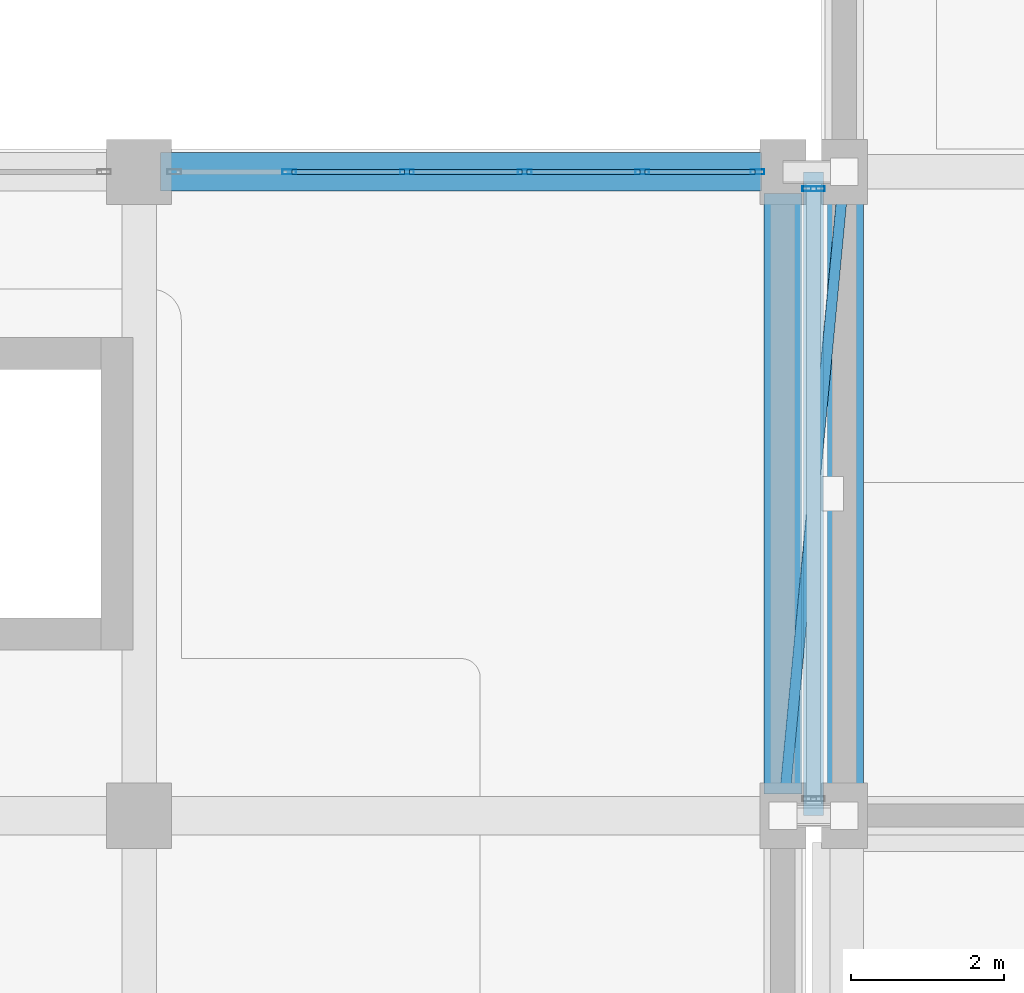
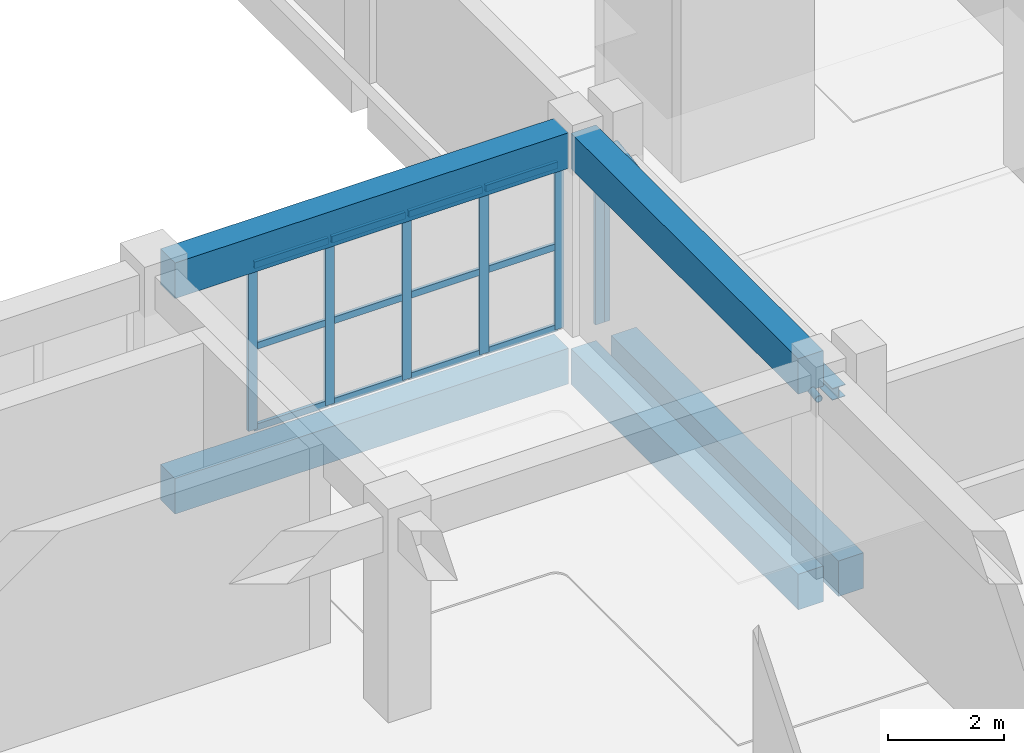
# One storey, part 69 of 129: 20 members, 6 beams, 2 elements without a shape of their own.
"""IFC4 building model written with IfcOpenShell, lengths in metres."""

import ifcopenshell
import ifcopenshell.guid

model = None  # the IFC model being written
_history = None  # IfcOwnerHistory: only IFC2X3 demands one
_inside = {}  # id of a spatial element -> (the spatial element, [elements in it])
_under = {}  # id of a project, library or spatial element -> (it, [spatial elements below it])
_declared = {}  # id of a project -> (the project, [libraries it declares])
_typed = {}  # id of a type object -> (the type object, [elements of that type])
_made_of = {}  # id of a material, layer set ... -> (it, [elements and type objects made of it])


def new_model(schema):
    """Start an empty IFC model of exactly this schema.

    Asked for "IFC4X3", IfcOpenShell would pick the latest addendum, in which some entities
    have other attributes; the version numbers below select the first issue.
    IFC2X3 requires an IfcOwnerHistory on every rooted entity: one is made here for all.
    """
    global model, _history
    if schema == "IFC4X3":
        model = ifcopenshell.file(schema_version=(4, 3, 0, 0))
    else:
        model = ifcopenshell.file(schema=schema)
    _inside.clear()
    _under.clear()
    _declared.clear()
    _typed.clear()
    _made_of.clear()
    _history = None
    if model.schema == "IFC2X3":
        org = make("IfcOrganization", Name="unknown")
        user = make(
            "IfcPersonAndOrganization",
            ThePerson=make("IfcPerson", FamilyName="unknown"),
            TheOrganization=org,
        )
        app = make(
            "IfcApplication",
            ApplicationDeveloper=org,
            Version="unknown",
            ApplicationFullName="unknown",
            ApplicationIdentifier="unknown",
        )
        _history = make(
            "IfcOwnerHistory",
            OwningUser=user,
            OwningApplication=app,
            ChangeAction="ADDED",
            CreationDate=0,
        )
    return model


def make(cls, **values):
    """One entity of the class cls with the attributes given. An attribute that is None is left unset."""
    return model.create_entity(
        cls, **{name: value for name, value in values.items() if value is not None}
    )


def rooted(cls, **values):
    """An entity with a GlobalId (a new one), such as an element, a storey or a relation."""
    return make(cls, GlobalId=ifcopenshell.guid.new(), OwnerHistory=_history, **values)


def si_unit(unit_type, name, prefix=None):
    """IfcSIUnit, for example si_unit("LENGTHUNIT", "METRE", prefix="MILLI")."""
    return make("IfcSIUnit", UnitType=unit_type, Prefix=prefix, Name=name)


def assignment(units):
    """IfcUnitAssignment: the units of a project."""
    return None if units is None else make("IfcUnitAssignment", Units=units)


def point(xyz):
    """IfcCartesianPoint."""
    return None if xyz is None else make("IfcCartesianPoint", Coordinates=xyz)


def direction(xyz):
    """IfcDirection."""
    return None if xyz is None else make("IfcDirection", DirectionRatios=xyz)


def frame(location, z_axis=None, x_axis=None):
    """IfcAxis2Placement3D, a coordinate frame: its origin and axes. An axis left out is left unset."""
    return make(
        "IfcAxis2Placement3D",
        Location=point(location),
        Axis=direction(z_axis),
        RefDirection=direction(x_axis),
    )


def frame_2d(location, x_axis=None):
    """IfcAxis2Placement2D, a coordinate frame in the plane: its origin and x axis."""
    return make(
        "IfcAxis2Placement2D", Location=point(location), RefDirection=direction(x_axis)
    )


def origin():
    """The frame at (0, 0, 0) with its axes left unset."""
    return frame((0.0, 0.0, 0.0))


def origin_2d():
    """The frame at (0, 0) in the plane with its x axis left unset."""
    return frame_2d((0.0, 0.0))


def place(relative_to, where):
    """IfcLocalPlacement: puts the frame where relative to a parent placement (None: the world)."""
    return make(
        "IfcLocalPlacement", PlacementRelTo=relative_to, RelativePlacement=where
    )


def context(
    kind, dimensions, precision=None, world=None, true_north=None, identifier=None
):
    """IfcGeometricRepresentationContext, for example the 3D "Model" context."""
    return make(
        "IfcGeometricRepresentationContext",
        ContextIdentifier=identifier,
        ContextType=kind,
        CoordinateSpaceDimension=dimensions,
        Precision=precision,
        WorldCoordinateSystem=world,
        TrueNorth=true_north,
    )


def subcontext(parent, identifier, kind, view, scale=None):
    """IfcGeometricRepresentationSubContext, for example "Body" below "Model"."""
    return make(
        "IfcGeometricRepresentationSubContext",
        ContextIdentifier=identifier,
        ContextType=kind,
        ParentContext=parent,
        TargetScale=scale,
        TargetView=view,
    )


def project(units=None, contexts=None):
    """IfcProject with its units and contexts."""
    return rooted(
        "IfcProject",
        Name="project",
        RepresentationContexts=contexts,
        UnitsInContext=assignment(units),
    )


def spatial(cls, under=None, at=None, **own):
    """A site, building, storey or space (cls), placed at a placement, below another one or the project."""
    s = rooted(cls, ObjectPlacement=at, **own)
    if under is not None:
        _under.setdefault(under.id(), (under, []))[1].append(s)
    return s


def profile(cls, at=None, kind="AREA", **sizes):
    """A parametric profile (cls). Its sizes go by their IFC names, for example OverallWidth=200.0."""
    return make(cls, ProfileType=kind, Position=at, **sizes)


def rectangle(**sizes):
    """IfcRectangleProfileDef."""
    return profile("IfcRectangleProfileDef", **sizes)


def hollow_rectangle(**sizes):
    """IfcRectangleHollowProfileDef."""
    return profile("IfcRectangleHollowProfileDef", **sizes)


def hollow_circle(**sizes):
    """IfcCircleHollowProfileDef."""
    return profile("IfcCircleHollowProfileDef", **sizes)


def i_section(**sizes):
    """IfcIShapeProfileDef."""
    return profile("IfcIShapeProfileDef", **sizes)


def extrude(swept, where, along, depth):
    """IfcExtrudedAreaSolid: the profile swept, set in the frame where, extruded along a direction by depth."""
    return make(
        "IfcExtrudedAreaSolid",
        SweptArea=swept,
        Position=where,
        ExtrudedDirection=direction(along),
        Depth=depth,
    )


def shape(context_of_items, identifier, shape_type, items):
    """IfcShapeRepresentation: the items that make up one representation, for example the "Body"."""
    return make(
        "IfcShapeRepresentation",
        ContextOfItems=context_of_items,
        RepresentationIdentifier=identifier,
        RepresentationType=shape_type,
        Items=items,
    )


def material(Name=None, Category=None):
    """IfcMaterial."""
    return make("IfcMaterial", Name=Name, Category=Category)


def layer(
    of_material, thickness, ventilated=None, Name=None, Category=None, Priority=None
):
    """IfcMaterialLayer: one layer of a wall or slab, of a material (None: an air gap)."""
    return make(
        "IfcMaterialLayer",
        Material=of_material,
        LayerThickness=thickness,
        IsVentilated=ventilated,
        Name=Name,
        Category=Category,
        Priority=Priority,
    )


def layer_set(layers, Name=None):
    """IfcMaterialLayerSet."""
    return make("IfcMaterialLayerSet", MaterialLayers=layers, LayerSetName=Name)


def material_profile(
    of_material, cross_section, Name=None, Category=None, Priority=None
):
    """IfcMaterialProfile: a cross section and its material."""
    return make(
        "IfcMaterialProfile",
        Name=Name,
        Material=of_material,
        Profile=cross_section,
        Priority=Priority,
        Category=Category,
    )


def profile_set(profiles, Name=None, composite=None):
    """IfcMaterialProfileSet."""
    return make(
        "IfcMaterialProfileSet",
        Name=Name,
        MaterialProfiles=profiles,
        CompositeProfile=composite,
    )


def made_of(thing, what):
    """Note that an element or type object is made of a material, layer set ...; save() writes the relation."""
    if what is not None:
        _made_of.setdefault(what.id(), (what, []))[1].append(thing)
    return thing


def type_object(cls, material=None, **own):
    """A type object (cls), such as IfcWallType, which elements share."""
    return made_of(rooted(cls, **own), material)


def element(
    cls,
    number,
    at=None,
    inside=None,
    cuts=None,
    type_object=None,
    material=None,
    context=None,
    identifier="Body",
    shape_type=None,
    held_by="IfcProductDefinitionShape",
    body=None,
    shapes=None,
    **own,
):
    """One element of the class cls, such as IfcWall. Its Tag is "e" and its number.

    at: its placement. inside: the storey or other place that contains it. cuts: it is an
    opening in that element (IfcRelVoidsElement). A single representation is given by context,
    identifier, shape_type and body (its items); several are given by shapes. held_by: the class
    of the entity that holds the representations. save() writes the other relations.
    """
    e = rooted(cls, Tag="e%d" % number, ObjectPlacement=at, **own)
    if body is not None:
        shapes = [shape(context, identifier, shape_type, body)]
    if shapes is not None:
        e.Representation = make(held_by, Representations=shapes)
    if inside is not None:
        _inside.setdefault(inside.id(), (inside, []))[1].append(e)
    if cuts is not None:
        rooted(
            "IfcRelVoidsElement", RelatingBuildingElement=cuts, RelatedOpeningElement=e
        )
    if type_object is not None:
        _typed.setdefault(type_object.id(), (type_object, []))[1].append(e)
    return made_of(e, material)


def aggregate(whole, parts):
    """IfcRelAggregates: a whole, such as a stair, and the parts it consists of."""
    return rooted("IfcRelAggregates", RelatingObject=whole, RelatedObjects=parts)


def save(model, path):
    """Write the relations noted so far, then the file.

    IfcRelAggregates (storeys below a building ...), IfcRelContainedInSpatialStructure (elements
    in a storey), IfcRelDefinesByType, IfcRelAssociatesMaterial and IfcRelDeclares: one each for
    every whole, place, type object, material and project.
    """
    for whole, parts in _under.values():
        aggregate(whole, parts)
    for where, things in _inside.values():
        rooted(
            "IfcRelContainedInSpatialStructure",
            RelatedElements=things,
            RelatingStructure=where,
        )
    for kind, things in _typed.values():
        rooted("IfcRelDefinesByType", RelatedObjects=things, RelatingType=kind)
    for what, things in _made_of.values():
        rooted("IfcRelAssociatesMaterial", RelatedObjects=things, RelatingMaterial=what)
    for by, libraries in _declared.values():
        rooted("IfcRelDeclares", RelatingContext=by, RelatedDefinitions=libraries)
    model.write(path)


model = new_model("IFC4")

# Units and contexts
model_context = context("Model", 3, precision=1e-05, world=origin(), true_north=direction((0.0, 1.0)))
body_context = subcontext(model_context, "Body", "Model", "MODEL_VIEW")
ifc_project = project(units=[si_unit("LENGTHUNIT", "METRE"), si_unit("AREAUNIT", "SQUARE_METRE"), si_unit("VOLUMEUNIT", "CUBIC_METRE"), si_unit("PLANEANGLEUNIT", "RADIAN"), si_unit("MASSUNIT", "GRAM", prefix="KILO")], contexts=[model_context])

# Site, building, storey
site_placement = place(None, origin())
site = spatial("IfcSite", under=ifc_project, at=site_placement, CompositionType="ELEMENT")
building_placement = place(site_placement, origin())
building = spatial("IfcBuilding", under=site, at=building_placement, Name="Xazarin Passage Department Store", CompositionType="ELEMENT")
storey_placement = place(building_placement, frame((0.0, 0.0, 9.89990234375)))
storey = spatial("IfcBuildingStorey", under=building, at=storey_placement, Name="L02", CompositionType="ELEMENT", Elevation=9.89990234375)

# Curtain wall, members
ifc_material_1 = material(Name="Bronze anodised aluminium", Category="aluminium")
ifc_layer_1 = layer(ifc_material_1, 0.169921875)
ifc_layer_set_1 = layer_set([ifc_layer_1], Name="Bronze anodised aluminium")
curtain_wall_type_1 = type_object("IfcCurtainWallType", Name="ARC-CW-ARC2", PredefinedType="NOTDEFINED", material=ifc_layer_set_1)
curtain_wall_1_placement = place(storey_placement, origin())
curtain_wall_1 = element("IfcCurtainWall", 1, at=curtain_wall_1_placement, inside=storey, type_object=curtain_wall_type_1, Name="L02 V2N Curtain Wall 117", PredefinedType="NOTDEFINED")
ifc_material_profile_1 = material_profile(ifc_material_1, hollow_rectangle(XDim=0.06494140625, YDim=0.179931640625, WallThickness=0.00390625, at=origin_2d()), Name="ALU 65x180")
ifc_profile_set_1 = profile_set([ifc_material_profile_1], Name="Bronze anodised aluminium")
member_type_1 = type_object("IfcMemberType", Name="ARC-CWM-65x180", PredefinedType="MULLION", material=ifc_profile_set_1)
member_1_placement = place(storey_placement, frame((95.159912109375, 93.199951171875, 0.0), z_axis=(0.0, 0.0, 1.0), x_axis=(0.0, 1.0, 0.0)))
member_1 = element("IfcMember", 2, at=member_1_placement, type_object=member_type_1, Name="CW4 mullion 2", PredefinedType="MULLION", context=body_context, shape_type="SweptSolid", body=[
    extrude(hollow_rectangle(XDim=0.06494140625, YDim=0.179931640625, WallThickness=0.00390625, at=origin_2d()), origin(), (0.0, 0.0, 1.0), 3.489990234375),
])
member_2_placement = place(storey_placement, frame((96.695068359375, 93.199951171875, 0.0), z_axis=(0.0, 0.0, 1.0), x_axis=(0.0, 1.0, 0.0)))
member_2 = element("IfcMember", 3, at=member_2_placement, type_object=member_type_1, Name="CW4 mullion 3", PredefinedType="MULLION", context=body_context, shape_type="SweptSolid", body=[
    extrude(hollow_rectangle(XDim=0.06494140625, YDim=0.179931640625, WallThickness=0.00390625, at=origin_2d()), origin(), (0.0, 0.0, 1.0), 3.489990234375),
])
member_3_placement = place(storey_placement, frame((98.22998046875, 93.199951171875, 0.0), z_axis=(0.0, 0.0, 1.0), x_axis=(0.0, 1.0, 0.0)))
member_3 = element("IfcMember", 4, at=member_3_placement, type_object=member_type_1, Name="CW4 mullion 4", PredefinedType="MULLION", context=body_context, shape_type="SweptSolid", body=[
    extrude(hollow_rectangle(XDim=0.06494140625, YDim=0.179931640625, WallThickness=0.00390625, at=origin_2d()), origin(), (0.0, 0.0, 1.0), 3.489990234375),
])
member_4_placement = place(storey_placement, frame((99.764892578125, 93.199951171875, 0.0), z_axis=(0.0, 0.0, 1.0), x_axis=(0.0, 1.0, 0.0)))
member_4 = element("IfcMember", 5, at=member_4_placement, type_object=member_type_1, Name="CW4 mullion 5", PredefinedType="MULLION", context=body_context, shape_type="SweptSolid", body=[
    extrude(hollow_rectangle(XDim=0.06494140625, YDim=0.179931640625, WallThickness=0.00390625, at=origin_2d()), origin(), (0.0, 0.0, 1.0), 3.489990234375),
])
member_5_placement = place(storey_placement, frame((101.267578125, 93.199951171875, 0.0), z_axis=(0.0, 0.0, 1.0), x_axis=(0.0, 1.0, 0.0)))
member_5 = element("IfcMember", 6, at=member_5_placement, type_object=member_type_1, Name="CW4 mullion 6", PredefinedType="MULLION", context=body_context, shape_type="SweptSolid", body=[
    extrude(hollow_rectangle(XDim=0.06494140625, YDim=0.179931640625, WallThickness=0.00390625, at=origin_2d()), origin(), (0.0, 0.0, 1.0), 3.489990234375),
])

ifc_layer_2 = layer(ifc_material_1, 0.14990234375)
ifc_layer_set_2 = layer_set([ifc_layer_2], Name="Bronze anodised aluminium")
curtain_wall_type_2 = type_object("IfcCurtainWallType", Name="ARC-CW-BRG1", PredefinedType="NOTDEFINED", material=ifc_layer_set_2)
curtain_wall_2_placement = place(storey_placement, origin())
curtain_wall_2 = element("IfcCurtainWall", 7, at=curtain_wall_2_placement, inside=storey, type_object=curtain_wall_type_2, Name="L02 BR-V2N-V4 Bridge Curtain Wall 2", PredefinedType="NOTDEFINED")
member_6_placement = place(storey_placement, frame((101.9423828125, 92.97998046875, 0.0), z_axis=(0.0, 0.0, 1.0), x_axis=(0.0, 1.0, 0.0)))
member_6 = element("IfcMember", 8, at=member_6_placement, type_object=member_type_1, Name="CW7 mullion 1", PredefinedType="MULLION", context=body_context, shape_type="SweptSolid", body=[
    extrude(hollow_rectangle(XDim=0.06494140625, YDim=0.179931640625, WallThickness=0.00390625, at=origin_2d()), origin(), (0.0, 0.0, 1.0), 3.60009765625),
])
member_7_placement = place(storey_placement, frame((102.0576171875, 92.97998046875, 0.0), z_axis=(0.0, 0.0, 1.0), x_axis=(0.0, 1.0, 0.0)))
member_7 = element("IfcMember", 9, at=member_7_placement, type_object=member_type_1, Name="CW7 mullion 2", PredefinedType="MULLION", context=body_context, shape_type="SweptSolid", body=[
    extrude(hollow_rectangle(XDim=0.06494140625, YDim=0.179931640625, WallThickness=0.00390625, at=origin_2d()), origin(), (0.0, 0.0, 1.0), 3.60009765625),
])
aggregate(curtain_wall_2, [member_6, member_7])

# Member
ifc_material_profile_2 = material_profile(ifc_material_1, hollow_rectangle(XDim=0.06494140625, YDim=0.139892578125, WallThickness=0.00390625, at=origin_2d()), Name="ALU 65x140")
ifc_profile_set_2 = profile_set([ifc_material_profile_2], Name="Bronze anodised aluminium")
member_type_2 = type_object("IfcMemberType", Name="ARC-CWT-65x140", PredefinedType="USERDEFINED", material=ifc_profile_set_2)
member_8_placement = place(storey_placement, frame((95.1923828125, 93.199951171875, 0.03271484375), z_axis=(1.0, 0.0, 0.0), x_axis=(0.0, 1.0, 0.0)))
member_8 = element("IfcMember", 10, at=member_8_placement, type_object=member_type_2, Name="CW4 transom 2.1", ObjectType="TRANSOM", PredefinedType="USERDEFINED", context=body_context, shape_type="SweptSolid", body=[
    extrude(hollow_rectangle(XDim=0.06494140625, YDim=0.139892578125, WallThickness=0.00390625, at=origin_2d()), origin(), (0.0, 0.0, 1.0), 1.47021484375),
])

member_9_placement = place(storey_placement, frame((95.1923828125, 93.199951171875, 1.7451171875), z_axis=(1.0, 0.0, 0.0), x_axis=(0.0, 1.0, 0.0)))
member_9 = element("IfcMember", 11, at=member_9_placement, type_object=member_type_2, Name="CW4 transom 2.2", ObjectType="TRANSOM", PredefinedType="USERDEFINED", context=body_context, shape_type="SweptSolid", body=[
    extrude(hollow_rectangle(XDim=0.06494140625, YDim=0.139892578125, WallThickness=0.00390625, at=origin_2d()), origin(), (0.0, 0.0, 1.0), 1.47021484375),
])

member_10_placement = place(storey_placement, frame((95.1923828125, 93.199951171875, 3.45751953125), z_axis=(1.0, 0.0, 0.0), x_axis=(0.0, 1.0, 0.0)))
member_10 = element("IfcMember", 12, at=member_10_placement, type_object=member_type_2, Name="CW4 transom 2.3", ObjectType="TRANSOM", PredefinedType="USERDEFINED", context=body_context, shape_type="SweptSolid", body=[
    extrude(hollow_rectangle(XDim=0.06494140625, YDim=0.139892578125, WallThickness=0.00390625, at=origin_2d()), origin(), (0.0, 0.0, 1.0), 1.47021484375),
])

member_11_placement = place(storey_placement, frame((96.7275390625, 93.199951171875, 0.03271484375), z_axis=(1.0, 0.0, 0.0), x_axis=(0.0, 1.0, 0.0)))
member_11 = element("IfcMember", 13, at=member_11_placement, type_object=member_type_2, Name="CW4 transom 3.1", ObjectType="TRANSOM", PredefinedType="USERDEFINED", context=body_context, shape_type="SweptSolid", body=[
    extrude(hollow_rectangle(XDim=0.06494140625, YDim=0.139892578125, WallThickness=0.00390625, at=origin_2d()), origin(), (0.0, 0.0, 1.0), 1.469970703125),
])

member_12_placement = place(storey_placement, frame((96.7275390625, 93.199951171875, 1.7451171875), z_axis=(1.0, 0.0, 0.0), x_axis=(0.0, 1.0, 0.0)))
member_12 = element("IfcMember", 14, at=member_12_placement, type_object=member_type_2, Name="CW4 transom 3.2", ObjectType="TRANSOM", PredefinedType="USERDEFINED", context=body_context, shape_type="SweptSolid", body=[
    extrude(hollow_rectangle(XDim=0.06494140625, YDim=0.139892578125, WallThickness=0.00390625, at=origin_2d()), origin(), (0.0, 0.0, 1.0), 1.469970703125),
])

member_13_placement = place(storey_placement, frame((96.7275390625, 93.199951171875, 3.45751953125), z_axis=(1.0, 0.0, 0.0), x_axis=(0.0, 1.0, 0.0)))
member_13 = element("IfcMember", 15, at=member_13_placement, type_object=member_type_2, Name="CW4 transom 3.3", ObjectType="TRANSOM", PredefinedType="USERDEFINED", context=body_context, shape_type="SweptSolid", body=[
    extrude(hollow_rectangle(XDim=0.06494140625, YDim=0.139892578125, WallThickness=0.00390625, at=origin_2d()), origin(), (0.0, 0.0, 1.0), 1.469970703125),
])

member_14_placement = place(storey_placement, frame((98.262451171875, 93.199951171875, 0.03271484375), z_axis=(1.0, 0.0, 0.0), x_axis=(0.0, 1.0, 0.0)))
member_14 = element("IfcMember", 16, at=member_14_placement, type_object=member_type_2, Name="CW4 transom 4.1", ObjectType="TRANSOM", PredefinedType="USERDEFINED", context=body_context, shape_type="SweptSolid", body=[
    extrude(hollow_rectangle(XDim=0.06494140625, YDim=0.139892578125, WallThickness=0.00390625, at=origin_2d()), origin(), (0.0, 0.0, 1.0), 1.469970703125),
])

member_15_placement = place(storey_placement, frame((98.262451171875, 93.199951171875, 1.7451171875), z_axis=(1.0, 0.0, 0.0), x_axis=(0.0, 1.0, 0.0)))
member_15 = element("IfcMember", 17, at=member_15_placement, type_object=member_type_2, Name="CW4 transom 4.2", ObjectType="TRANSOM", PredefinedType="USERDEFINED", context=body_context, shape_type="SweptSolid", body=[
    extrude(hollow_rectangle(XDim=0.06494140625, YDim=0.139892578125, WallThickness=0.00390625, at=origin_2d()), origin(), (0.0, 0.0, 1.0), 1.469970703125),
])

member_16_placement = place(storey_placement, frame((98.262451171875, 93.199951171875, 3.45751953125), z_axis=(1.0, 0.0, 0.0), x_axis=(0.0, 1.0, 0.0)))
member_16 = element("IfcMember", 18, at=member_16_placement, type_object=member_type_2, Name="CW4 transom 4.3", ObjectType="TRANSOM", PredefinedType="USERDEFINED", context=body_context, shape_type="SweptSolid", body=[
    extrude(hollow_rectangle(XDim=0.06494140625, YDim=0.139892578125, WallThickness=0.00390625, at=origin_2d()), origin(), (0.0, 0.0, 1.0), 1.469970703125),
])

member_17_placement = place(storey_placement, frame((99.797607421875, 93.199951171875, 0.03271484375), z_axis=(1.0, 0.0, 0.0), x_axis=(0.0, 1.0, 0.0)))
member_17 = element("IfcMember", 19, at=member_17_placement, type_object=member_type_2, Name="CW4 transom 5.1", ObjectType="TRANSOM", PredefinedType="USERDEFINED", context=body_context, shape_type="SweptSolid", body=[
    extrude(hollow_rectangle(XDim=0.06494140625, YDim=0.139892578125, WallThickness=0.00390625, at=origin_2d()), origin(), (0.0, 0.0, 1.0), 1.4375),
])

member_18_placement = place(storey_placement, frame((99.797607421875, 93.199951171875, 1.7451171875), z_axis=(1.0, 0.0, 0.0), x_axis=(0.0, 1.0, 0.0)))
member_18 = element("IfcMember", 20, at=member_18_placement, type_object=member_type_2, Name="CW4 transom 5.2", ObjectType="TRANSOM", PredefinedType="USERDEFINED", context=body_context, shape_type="SweptSolid", body=[
    extrude(hollow_rectangle(XDim=0.06494140625, YDim=0.139892578125, WallThickness=0.00390625, at=origin_2d()), origin(), (0.0, 0.0, 1.0), 1.4375),
])

member_19_placement = place(storey_placement, frame((99.797607421875, 93.199951171875, 3.45751953125), z_axis=(1.0, 0.0, 0.0), x_axis=(0.0, 1.0, 0.0)))
member_19 = element("IfcMember", 21, at=member_19_placement, type_object=member_type_2, Name="CW4 transom 5.3", ObjectType="TRANSOM", PredefinedType="USERDEFINED", context=body_context, shape_type="SweptSolid", body=[
    extrude(hollow_rectangle(XDim=0.06494140625, YDim=0.139892578125, WallThickness=0.00390625, at=origin_2d()), origin(), (0.0, 0.0, 1.0), 1.4375),
])

aggregate(curtain_wall_1, [member_1, member_2, member_3, member_4, member_5, member_8, member_9, member_10, member_11, member_12, member_13, member_14, member_15, member_16, member_17, member_18, member_19])

# Beams
ifc_material_2 = material(Name="Steel S355", Category="steel")
ifc_material_profile_3 = material_profile(ifc_material_2, i_section(OverallWidth=0.260009765625, OverallDepth=0.25, WebThickness=0.007568359375, FlangeThickness=0.012451171875, FilletRadius=0.02392578125, at=origin_2d()), Name="HEA 260")
ifc_profile_set_3 = profile_set([ifc_material_profile_3], Name="Steel S355")
beam_type_1 = type_object("IfcBeamType", Name="STR-BM-CAN260", PredefinedType="BEAM", material=ifc_profile_set_3)
beam_1_placement = place(storey_placement, frame((102.0, 84.800048828125, 3.47509765625), z_axis=(0.0, 1.0, 0.0), x_axis=(-1.0, 0.0, 0.0)))
element("IfcBeam", 22, at=beam_1_placement, inside=storey, type_object=beam_type_1, Name="L02 BR-V2N-V4 Bridge Roof Mid Beam", PredefinedType="BEAM", context=body_context, shape_type="SweptSolid", body=[
    extrude(i_section(OverallWidth=0.260009765625, OverallDepth=0.25, WebThickness=0.007568359375, FlangeThickness=0.012451171875, FilletRadius=0.02392578125, at=origin_2d()), origin(), (0.0, 0.0, 1.0), 8.39990234375),
])
ifc_material_3 = material(Name="Concrete C35/45", Category="concrete")
ifc_material_profile_4 = material_profile(ifc_material_3, rectangle(XDim=0.5, YDim=0.75, at=origin_2d()), Name="RC 500x750")
ifc_profile_set_4 = profile_set([ifc_material_profile_4], Name="Concrete C35/45")
beam_type_2 = type_object("IfcBeamType", Name="STR-BM-SP500x750", PredefinedType="SPANDREL", material=ifc_profile_set_4)
beam_2_placement = place(storey_placement, frame((93.47998046875, 93.199951171875, -0.6748046875), z_axis=(1.0, 0.0, 0.0), x_axis=(0.0, 1.0, 0.0)))
element("IfcBeam", 23, at=beam_2_placement, inside=storey, type_object=beam_type_2, Name="L02 Grid Beam N/13-14", PredefinedType="SPANDREL", context=body_context, shape_type="SweptSolid", body=[
    extrude(rectangle(XDim=0.5, YDim=0.75, at=origin_2d()), origin(), (0.0, 0.0, 1.0), 7.840087890625),
])
beam_3_placement = place(storey_placement, frame((101.60009765625, 85.080078125, -0.6748046875), z_axis=(0.0, 1.0, 0.0), x_axis=(-1.0, 0.0, 0.0)))
element("IfcBeam", 24, at=beam_3_placement, inside=storey, type_object=beam_type_2, Name="L02 Grid Beam 14/M-N", PredefinedType="SPANDREL", context=body_context, shape_type="SweptSolid", body=[
    extrude(rectangle(XDim=0.5, YDim=0.75, at=origin_2d()), origin(), (0.0, 0.0, 1.0), 7.83984375),
])
beam_4_placement = place(storey_placement, frame((93.47998046875, 93.199951171875, 3.864990234375), z_axis=(1.0, 0.0, 0.0), x_axis=(0.0, 1.0, 0.0)))
element("IfcBeam", 25, at=beam_4_placement, inside=storey, type_object=beam_type_2, Name="L02 Grid Beam N/13-14", PredefinedType="SPANDREL", context=body_context, shape_type="SweptSolid", body=[
    extrude(rectangle(XDim=0.5, YDim=0.75, at=origin_2d()), origin(), (0.0, 0.0, 1.0), 7.840087890625),
])
for number, where, z_axis, x_axis, name in (
    (26, (101.60009765625, 85.080078125, 3.864990234375), (0.0, 1.0, 0.0), (-1.0, 0.0, 0.0), "L02 Grid Beam 14/M-N"),
    (27, (102.39990234375, 85.080078125, -0.6748046875), (0.0, 1.0, 0.0), (-1.0, 0.0, 0.0), "L02 Grid Beam 15/M-N"),
):
    element("IfcBeam", number, at=place(storey_placement, frame(where, z_axis=z_axis, x_axis=x_axis)), inside=storey, type_object=beam_type_2, Name=name, PredefinedType="SPANDREL", context=body_context, shape_type="SweptSolid", body=[
        extrude(rectangle(XDim=0.5, YDim=0.75, at=origin_2d()), origin(), (0.0, 0.0, 1.0), 7.83984375),
    ])

# Member
ifc_material_profile_5 = material_profile(ifc_material_2, hollow_circle(Radius=0.06982421875, WallThickness=0.008056640625, at=origin_2d()), Name="CHS 139.7x8")
ifc_profile_set_5 = profile_set([ifc_material_profile_5], Name="Steel S355")
member_type_3 = type_object("IfcMemberType", Name="STR-MEM-BR140", PredefinedType="BRACE", material=ifc_profile_set_5)
member_20_placement = place(storey_placement, frame((101.60009765625, 84.800048828125, 3.47509765625), z_axis=(0.094787245934, 0.99549755299, 0.0), x_axis=(-0.99549755299, 0.094787245934, 0.0)))
element("IfcMember", 28, at=member_20_placement, inside=storey, type_object=member_type_3, Name="L02 BR-V2N-V4 Bridge Roof Wind Diagonal", PredefinedType="BRACE", context=body_context, shape_type="SweptSolid", body=[
    extrude(hollow_circle(Radius=0.06982421875, WallThickness=0.008056640625, at=origin_2d()), origin(), (0.0, 0.0, 1.0), 8.43798828125),
])

save(model, "model.ifc")
